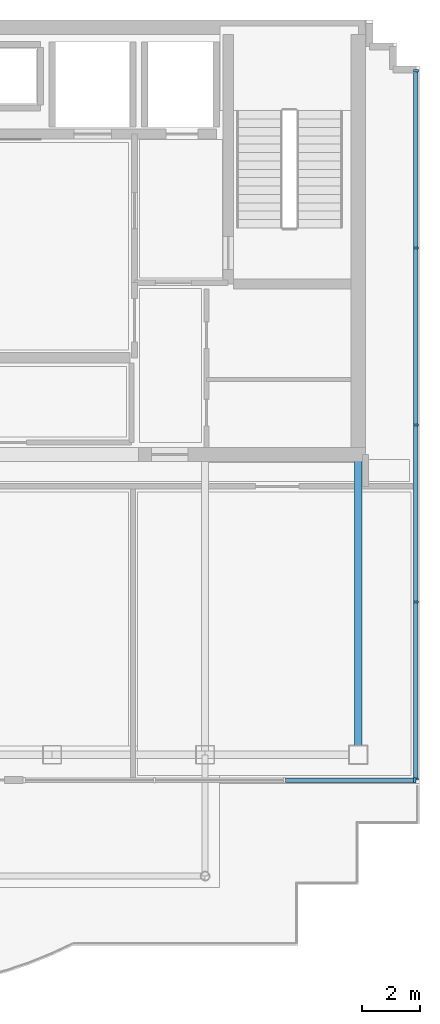
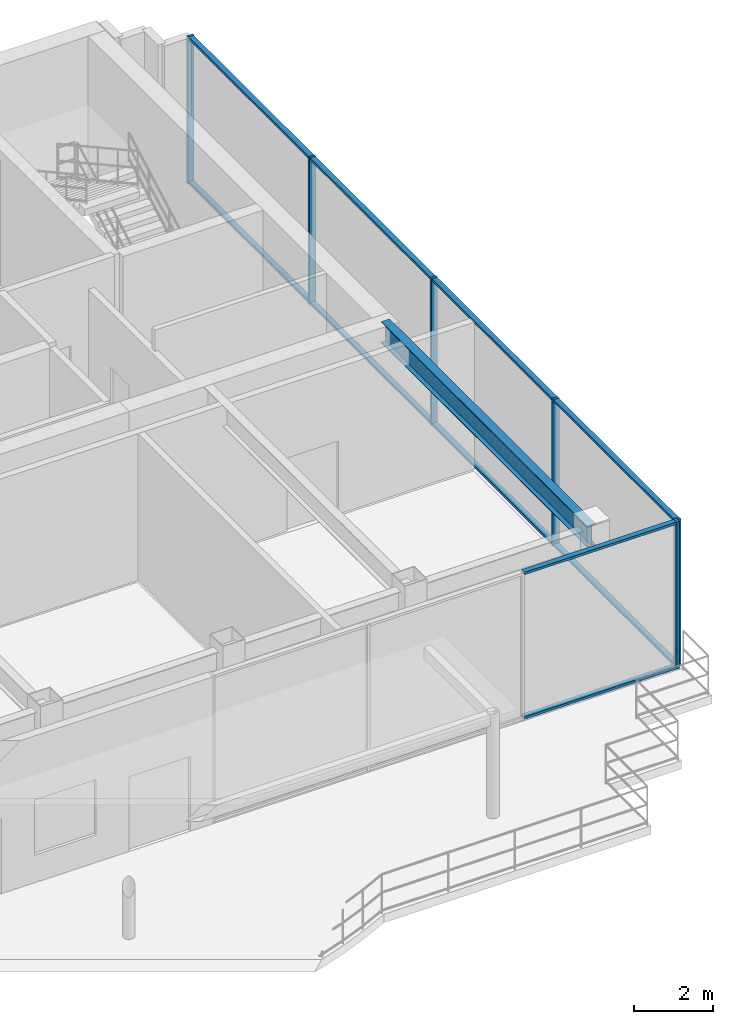
# One storey, part 3 of 11: 16 members, 1 beam, 2 elements without a shape of their own.
"""IFC4 building model written with IfcOpenShell, lengths in metres."""

from ifc_helpers import new_model, si_unit, direction, frame, origin, origin_2d, place, context, subcontext, project, spatial, rectangle, i_section, extrude, source, transform, mapped, material, layer, layer_set, material_profile, profile_set, type_object, element, aggregate, save


model = new_model("IFC4")

# Units and contexts
model_context = context("Model", 3, precision=1e-05, world=origin(), true_north=direction((0.0, 1.0)))
body_context = subcontext(model_context, "Body", "Model", "MODEL_VIEW")
ifc_project = project(units=[si_unit("LENGTHUNIT", "METRE"), si_unit("AREAUNIT", "SQUARE_METRE"), si_unit("VOLUMEUNIT", "CUBIC_METRE"), si_unit("PLANEANGLEUNIT", "RADIAN"), si_unit("MASSUNIT", "GRAM", prefix="KILO")], contexts=[model_context])

# Site, building, storey
site_placement = place(None, origin())
site = spatial("IfcSite", under=ifc_project, at=site_placement, CompositionType="ELEMENT")
building_placement = place(site_placement, origin())
building = spatial("IfcBuilding", under=site, at=building_placement, Name="Qianlan Lanfeng Residences", CompositionType="ELEMENT")
storey_placement = place(building_placement, frame((0.0, 0.0, 266.0)))
storey = spatial("IfcBuildingStorey", under=building, at=storey_placement, Name="L74", CompositionType="ELEMENT", Elevation=266.0)

# Beam
ifc_material_1 = material(Name="Steel SN490B", Category="steel")
ifc_material_profile_1 = material_profile(ifc_material_1, i_section(OverallWidth=0.25, OverallDepth=0.64990234375, WebThickness=0.012939453125, FlangeThickness=0.02197265625, at=origin_2d()), Name="H 650x250x13x22")
ifc_profile_set_1 = profile_set([ifc_material_profile_1], Name="Steel SN490B")
beam_type = type_object("IfcBeamType", Name="G-650", PredefinedType="BEAM", material=ifc_profile_set_1)
beam_placement = place(storey_placement, frame((42.39990234375, 14.800048828125, 4.195068359375), z_axis=(0.0, 1.0, 0.0), x_axis=(-1.0, 0.0, 0.0)))
element("IfcBeam", 1, at=beam_placement, inside=storey, type_object=beam_type, Name="Structural beam G-650", PredefinedType="BEAM", context=body_context, shape_type="SweptSolid", body=[
    extrude(i_section(OverallWidth=0.25, OverallDepth=0.64990234375, WebThickness=0.012939453125, FlangeThickness=0.02197265625, at=origin_2d()), origin(), (0.0, 0.0, 1.0), 10.39990234375),
])

# Curtain wall, member
ifc_material_2 = material(Name="Anodised Bronze Aluminium 6063-T6", Category="aluminium")
ifc_layer = layer(ifc_material_2, 0.219970703125)
ifc_layer_set = layer_set([ifc_layer], Name="Anodised Bronze Aluminium 6063-T6")
curtain_wall_type = type_object("IfcCurtainWallType", Name="CW-06", PredefinedType="NOTDEFINED", material=ifc_layer_set)
curtain_wall_1_placement = place(storey_placement, origin())
curtain_wall_1 = element("IfcCurtainWall", 2, at=curtain_wall_1_placement, inside=storey, type_object=curtain_wall_type, Name="L74 Unitised Curtain Wall CWR-L74-SE (CW-06)", PredefinedType="NOTDEFINED")
ifc_material_profile_2 = material_profile(ifc_material_2, rectangle(XDim=0.074951171875, YDim=0.179931640625, at=origin_2d()), Name="ALU MULLION 75x180")
ifc_profile_set_2 = profile_set([ifc_material_profile_2], Name="Anodised Bronze Aluminium 6063-T6")
member_type_1 = type_object("IfcMemberType", Name="CWM-180", PredefinedType="MULLION", material=ifc_profile_set_2)
shared_shape_1 = source(origin(), body_context, "Body", "SweptSolid", [
    extrude(rectangle(XDim=0.074951171875, YDim=0.179931640625, at=origin_2d()), origin(), (0.0, 0.0, 1.0), 4.52001953125),
])
member_1_placement = place(storey_placement, frame((44.362548828125, 13.919921875, 0.0), z_axis=(0.0, 0.0, 1.0), x_axis=(1.0, 0.0, 0.0)))
member_1 = element("IfcMember", 3, at=member_1_placement, type_object=member_type_1, Name="CWR-L74-SE Mullion 4", PredefinedType="MULLION", context=body_context, shape_type="MappedRepresentation", body=[
    mapped(shared_shape_1, transform((0.0, 0.0, 0.0), scale=1.0)),
])

# Curtain wall, members
curtain_wall_2_placement = place(storey_placement, origin())
curtain_wall_2 = element("IfcCurtainWall", 4, at=curtain_wall_2_placement, inside=storey, type_object=curtain_wall_type, Name="L74 Unitised Curtain Wall CWR-L74-08 (CW-06)", PredefinedType="NOTDEFINED")
member_2_placement = place(storey_placement, frame((44.39990234375, 13.95751953125, 0.0), z_axis=(0.0, 0.0, 1.0), x_axis=(0.0, 1.0, 0.0)))
member_2 = element("IfcMember", 5, at=member_2_placement, type_object=member_type_1, Name="CWR-L74-08 Mullion 1", PredefinedType="MULLION", context=body_context, shape_type="MappedRepresentation", body=[
    mapped(shared_shape_1, transform((0.0, 0.0, 0.0), scale=1.0)),
])
member_3_placement = place(storey_placement, frame((44.39990234375, 20.09130859375, 0.0), z_axis=(0.0, 0.0, 1.0), x_axis=(0.0, 1.0, 0.0)))
member_3 = element("IfcMember", 6, at=member_3_placement, type_object=member_type_1, Name="CWR-L74-08 Mullion 2", PredefinedType="MULLION", context=body_context, shape_type="MappedRepresentation", body=[
    mapped(shared_shape_1, transform((0.0, 0.0, 0.0), scale=1.0)),
])
member_4_placement = place(storey_placement, frame((44.39990234375, 26.22509765625, 0.0), z_axis=(0.0, 0.0, 1.0), x_axis=(0.0, 1.0, 0.0)))
member_4 = element("IfcMember", 7, at=member_4_placement, type_object=member_type_1, Name="CWR-L74-08 Mullion 3", PredefinedType="MULLION", context=body_context, shape_type="MappedRepresentation", body=[
    mapped(shared_shape_1, transform((0.0, 0.0, 0.0), scale=1.0)),
])
member_5_placement = place(storey_placement, frame((44.39990234375, 32.35888671875, 0.0), z_axis=(0.0, 0.0, 1.0), x_axis=(0.0, 1.0, 0.0)))
member_5 = element("IfcMember", 8, at=member_5_placement, type_object=member_type_1, Name="CWR-L74-08 Mullion 4", PredefinedType="MULLION", context=body_context, shape_type="MappedRepresentation", body=[
    mapped(shared_shape_1, transform((0.0, 0.0, 0.0), scale=1.0)),
])
member_6_placement = place(storey_placement, frame((44.39990234375, 38.492431640625, 0.0), z_axis=(0.0, 0.0, 1.0), x_axis=(0.0, 1.0, 0.0)))
member_6 = element("IfcMember", 9, at=member_6_placement, type_object=member_type_1, Name="CWR-L74-08 Mullion 5", PredefinedType="MULLION", context=body_context, shape_type="MappedRepresentation", body=[
    mapped(shared_shape_1, transform((0.0, 0.0, 0.0), scale=1.0)),
])
ifc_material_profile_3 = material_profile(ifc_material_2, rectangle(XDim=0.074951171875, YDim=0.14990234375, at=origin_2d()), Name="ALU TRANSOM 75x150")
ifc_profile_set_3 = profile_set([ifc_material_profile_3], Name="Anodised Bronze Aluminium 6063-T6")
member_type_2 = type_object("IfcMemberType", Name="CWT-150", PredefinedType="USERDEFINED", material=ifc_profile_set_3)
shared_shape_2 = source(origin(), body_context, "Body", "SweptSolid", [
    extrude(rectangle(XDim=0.074951171875, YDim=0.14990234375, at=origin_2d()), origin(), (0.0, 0.0, 1.0), 6.058837890625),
])
member_7_placement = place(storey_placement, frame((44.39990234375, 20.128662109375, 0.03759765625), z_axis=(0.0, 1.0, 0.0), x_axis=(0.0, 0.0, 1.0)))
member_7 = element("IfcMember", 10, at=member_7_placement, type_object=member_type_2, Name="CWR-L74-08 Transom 2-BOT", ObjectType="TRANSOM", PredefinedType="USERDEFINED", context=body_context, shape_type="MappedRepresentation", body=[
    mapped(shared_shape_2, transform((0.0, 0.0, 0.0), scale=1.0)),
])
member_8_placement = place(storey_placement, frame((44.39990234375, 20.128662109375, 4.482421875), z_axis=(0.0, 1.0, 0.0), x_axis=(0.0, 0.0, 1.0)))
member_8 = element("IfcMember", 11, at=member_8_placement, type_object=member_type_2, Name="CWR-L74-08 Transom 2-TOP", ObjectType="TRANSOM", PredefinedType="USERDEFINED", context=body_context, shape_type="MappedRepresentation", body=[
    mapped(shared_shape_2, transform((0.0, 0.0, 0.0), scale=1.0)),
])
member_9_placement = place(storey_placement, frame((44.39990234375, 26.262451171875, 0.03759765625), z_axis=(0.0, 1.0, 0.0), x_axis=(0.0, 0.0, 1.0)))
member_9 = element("IfcMember", 12, at=member_9_placement, type_object=member_type_2, Name="CWR-L74-08 Transom 3-BOT", ObjectType="TRANSOM", PredefinedType="USERDEFINED", context=body_context, shape_type="MappedRepresentation", body=[
    mapped(shared_shape_2, transform((0.0, 0.0, 0.0), scale=1.0)),
])
member_10_placement = place(storey_placement, frame((44.39990234375, 26.262451171875, 4.482421875), z_axis=(0.0, 1.0, 0.0), x_axis=(0.0, 0.0, 1.0)))
member_10 = element("IfcMember", 13, at=member_10_placement, type_object=member_type_2, Name="CWR-L74-08 Transom 3-TOP", ObjectType="TRANSOM", PredefinedType="USERDEFINED", context=body_context, shape_type="MappedRepresentation", body=[
    mapped(shared_shape_2, transform((0.0, 0.0, 0.0), scale=1.0)),
])
member_11_placement = place(storey_placement, frame((44.39990234375, 32.396240234375, 0.03759765625), z_axis=(0.0, 1.0, 0.0), x_axis=(0.0, 0.0, 1.0)))
member_11 = element("IfcMember", 14, at=member_11_placement, type_object=member_type_2, Name="CWR-L74-08 Transom 4-BOT", ObjectType="TRANSOM", PredefinedType="USERDEFINED", context=body_context, shape_type="MappedRepresentation", body=[
    mapped(shared_shape_2, transform((0.0, 0.0, 0.0), scale=1.0)),
])
member_12_placement = place(storey_placement, frame((44.39990234375, 32.396240234375, 4.482421875), z_axis=(0.0, 1.0, 0.0), x_axis=(0.0, 0.0, 1.0)))
member_12 = element("IfcMember", 15, at=member_12_placement, type_object=member_type_2, Name="CWR-L74-08 Transom 4-TOP", ObjectType="TRANSOM", PredefinedType="USERDEFINED", context=body_context, shape_type="MappedRepresentation", body=[
    mapped(shared_shape_2, transform((0.0, 0.0, 0.0), scale=1.0)),
])
shared_shape_3 = source(origin(), body_context, "Body", "SweptSolid", [
    extrude(rectangle(XDim=0.074951171875, YDim=0.14990234375, at=origin_2d()), origin(), (0.0, 0.0, 1.0), 6.05859375),
])
member_13_placement = place(storey_placement, frame((44.39990234375, 13.9951171875, 0.03759765625), z_axis=(0.0, 1.0, 0.0), x_axis=(0.0, 0.0, 1.0)))
member_13 = element("IfcMember", 16, at=member_13_placement, type_object=member_type_2, Name="CWR-L74-08 Transom 1-BOT", ObjectType="TRANSOM", PredefinedType="USERDEFINED", context=body_context, shape_type="MappedRepresentation", body=[
    mapped(shared_shape_3, transform((0.0, 0.0, 0.0), scale=1.0)),
])
member_14_placement = place(storey_placement, frame((44.39990234375, 13.9951171875, 4.482421875), z_axis=(0.0, 1.0, 0.0), x_axis=(0.0, 0.0, 1.0)))
member_14 = element("IfcMember", 17, at=member_14_placement, type_object=member_type_2, Name="CWR-L74-08 Transom 1-TOP", ObjectType="TRANSOM", PredefinedType="USERDEFINED", context=body_context, shape_type="MappedRepresentation", body=[
    mapped(shared_shape_3, transform((0.0, 0.0, 0.0), scale=1.0)),
])
aggregate(curtain_wall_2, [member_2, member_3, member_4, member_5, member_6, member_13, member_14, member_7, member_8, member_9, member_10, member_11, member_12])

# Member
shared_shape_4 = source(origin(), body_context, "Body", "SweptSolid", [
    extrude(rectangle(XDim=0.074951171875, YDim=0.14990234375, at=origin_2d()), origin(), (0.0, 0.0, 1.0), 4.433349609375),
])
member_15_placement = place(storey_placement, frame((39.8916015625, 13.919921875, 0.03759765625), z_axis=(1.0, 0.0, 0.0), x_axis=(0.0, 0.0, 1.0)))
member_15 = element("IfcMember", 18, at=member_15_placement, type_object=member_type_2, Name="CWR-L74-SE Transom 3-BOT", ObjectType="TRANSOM", PredefinedType="USERDEFINED", context=body_context, shape_type="MappedRepresentation", body=[
    mapped(shared_shape_4, transform((0.0, 0.0, 0.0), scale=1.0)),
])

member_16_placement = place(storey_placement, frame((39.8916015625, 13.919921875, 4.482421875), z_axis=(1.0, 0.0, 0.0), x_axis=(0.0, 0.0, 1.0)))
member_16 = element("IfcMember", 19, at=member_16_placement, type_object=member_type_2, Name="CWR-L74-SE Transom 3-TOP", ObjectType="TRANSOM", PredefinedType="USERDEFINED", context=body_context, shape_type="MappedRepresentation", body=[
    mapped(shared_shape_4, transform((0.0, 0.0, 0.0), scale=1.0)),
])

aggregate(curtain_wall_1, [member_1, member_15, member_16])

save(model, "model.ifc")
